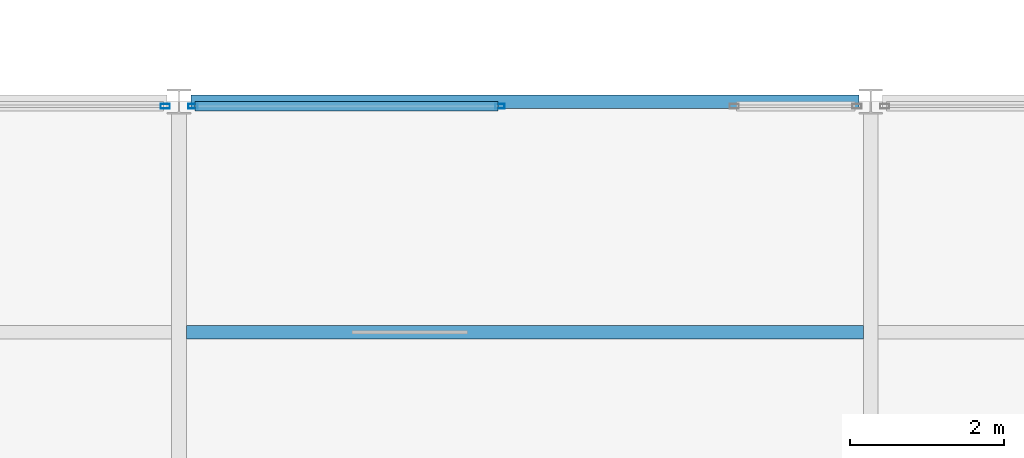
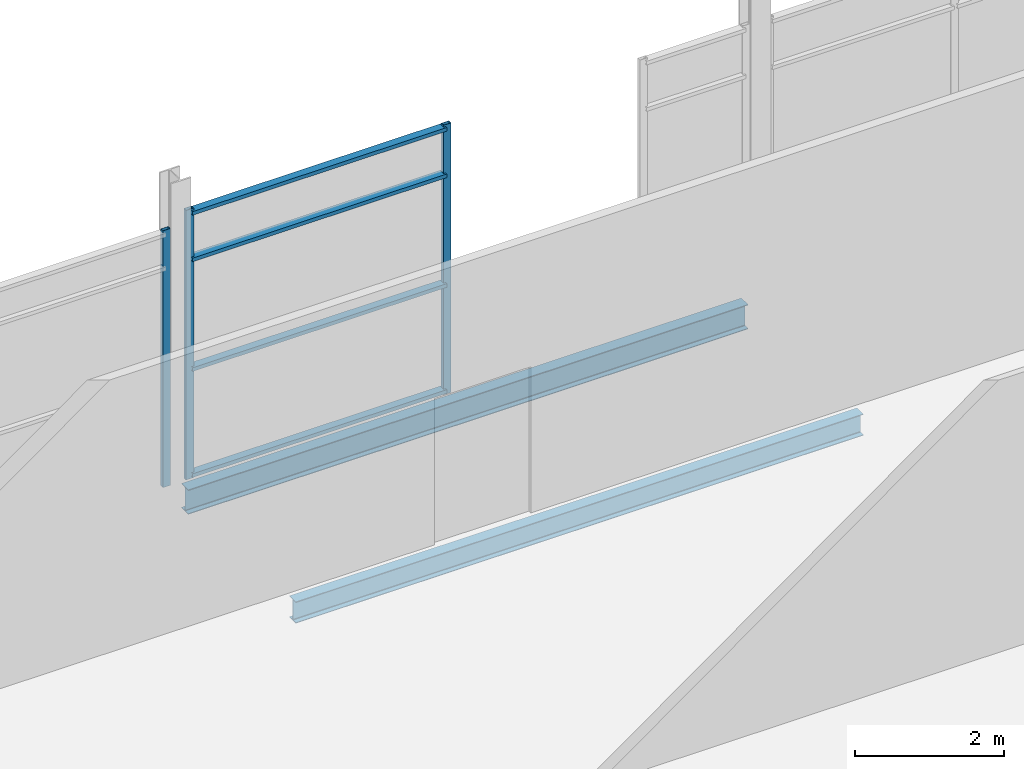
# One storey, part 31 of 115: 7 members, 2 beams, 2 elements without a shape of their own.
"""IFC4 building model written with IfcOpenShell, lengths in metres."""

from ifc_helpers import new_model, si_unit, direction, frame, origin, origin_2d, place, context, subcontext, project, spatial, hollow_rectangle, i_section, extrude, material, layer, layer_set, material_profile, profile_set, type_object, element, aggregate, save


model = new_model("IFC4")

# Units and contexts
model_context = context("Model", 3, precision=1e-05, world=origin(), true_north=direction((0.0, 1.0)))
body_context = subcontext(model_context, "Body", "Model", "MODEL_VIEW")
ifc_project = project(units=[si_unit("LENGTHUNIT", "METRE"), si_unit("AREAUNIT", "SQUARE_METRE"), si_unit("VOLUMEUNIT", "CUBIC_METRE"), si_unit("PLANEANGLEUNIT", "RADIAN"), si_unit("MASSUNIT", "GRAM", prefix="KILO")], contexts=[model_context])

# Site, building, storey
site_placement = place(None, origin())
site = spatial("IfcSite", under=ifc_project, at=site_placement, CompositionType="ELEMENT")
building_placement = place(site_placement, origin())
building = spatial("IfcBuilding", under=site, at=building_placement, Name="Shorebreak Coast Museum", CompositionType="ELEMENT")
storey_placement = place(building_placement, frame((0.0, 0.0, 11.0)))
storey = spatial("IfcBuildingStorey", under=building, at=storey_placement, Name="L02", CompositionType="ELEMENT", Elevation=11.0)

# Beams
ifc_material_1 = material(Name="Steel Grade 300", Category="steel")
ifc_material_profile_1 = material_profile(ifc_material_1, i_section(OverallWidth=0.177978515625, OverallDepth=0.402587890625, WebThickness=0.007568359375, FlangeThickness=0.010986328125, FilletRadius=0.011474609375, at=origin_2d()), Name="410UB53.7")
ifc_profile_set_1 = profile_set([ifc_material_profile_1], Name="Steel Grade 300")
beam_type_1 = type_object("IfcBeamType", Name="Floor girder east-west 410UB53.7", PredefinedType="BEAM", material=ifc_profile_set_1)
beam_1_placement = place(storey_placement, frame((90.155517578125, 63.0, -0.376220703125), z_axis=(1.0, 0.0, 0.0), x_axis=(0.0, 1.0, 0.0)))
element("IfcBeam", 1, at=beam_1_placement, inside=storey, type_object=beam_type_1, Name="Floor girder east-west L02 11H", PredefinedType="BEAM", context=body_context, shape_type="SweptSolid", body=[
    extrude(i_section(OverallWidth=0.177978515625, OverallDepth=0.402587890625, WebThickness=0.007568359375, FlangeThickness=0.010986328125, FilletRadius=0.011474609375, at=origin_2d()), origin(), (0.0, 0.0, 1.0), 8.68896484375),
])
ifc_material_2 = material(Name="Steel Grade 300", Category="steel")
ifc_material_profile_2 = material_profile(ifc_material_2, i_section(OverallWidth=0.1708984375, OverallDepth=0.35205078125, WebThickness=0.0068359375, FlangeThickness=0.009765625, FilletRadius=0.011474609375, at=origin_2d()), Name="360UB44.7")
ifc_profile_set_2 = profile_set([ifc_material_profile_2], Name="Steel Grade 300")
beam_type_2 = type_object("IfcBeamType", Name="Floor joist 360UB44.7", PredefinedType="JOIST", material=ifc_profile_set_2)
beam_2_placement = place(storey_placement, frame((90.095458984375, 60.0, -0.35107421875), z_axis=(1.0, 0.0, 0.0), x_axis=(0.0, 1.0, 0.0)))
element("IfcBeam", 2, at=beam_2_placement, inside=storey, type_object=beam_type_2, Name="Floor joist L02 bay 11G at 6000 mm", PredefinedType="JOIST", context=body_context, shape_type="SweptSolid", body=[
    extrude(i_section(OverallWidth=0.1708984375, OverallDepth=0.35205078125, WebThickness=0.0068359375, FlangeThickness=0.009765625, FilletRadius=0.011474609375, at=origin_2d()), origin(), (0.0, 0.0, 1.0), 8.80908203125),
])

# Curtain wall, member
ifc_material_3 = material(Name="Aluminium", Category="aluminium")
ifc_layer = layer(ifc_material_3, 0.1201171875)
ifc_layer_set = layer_set([ifc_layer], Name="Aluminium")
curtain_wall_type = type_object("IfcCurtainWallType", Name="Atrium fire screen", PredefinedType="NOTDEFINED", material=ifc_layer_set)
curtain_wall_1_placement = place(storey_placement, origin())
curtain_wall_1 = element("IfcCurtainWall", 3, at=curtain_wall_1_placement, inside=storey, type_object=curtain_wall_type, Name="Atrium screen L02 S 18", PredefinedType="NOTDEFINED")
ifc_material_4 = material(Name="Aluminium", Category="aluminium")
ifc_material_profile_3 = material_profile(ifc_material_4, hollow_rectangle(XDim=0.06005859375, YDim=0.1201171875, WallThickness=0.00341796875, at=origin_2d()), Name="AL 120x60 RHS")
ifc_profile_set_3 = profile_set([ifc_material_profile_3], Name="Aluminium")
member_type_1 = type_object("IfcMemberType", Name="Screen mullion 50 x 120", PredefinedType="MULLION", material=ifc_profile_set_3)
member_1_placement = place(storey_placement, frame((89.819580078125, 62.93994140625, 0.0), z_axis=(0.0, 0.0, 1.0), x_axis=(0.0, 1.0, 0.0)))
member_1 = element("IfcMember", 4, at=member_1_placement, type_object=member_type_1, Name="CW4 mullion 4", PredefinedType="MULLION", context=body_context, shape_type="SweptSolid", body=[
    extrude(hollow_rectangle(XDim=0.06005859375, YDim=0.1201171875, WallThickness=0.00341796875, at=origin_2d()), origin(), (0.0, 0.0, 1.0), 4.212890625),
])
aggregate(curtain_wall_1, [member_1])

# Curtain wall, members
curtain_wall_2_placement = place(storey_placement, origin())
curtain_wall_2 = element("IfcCurtainWall", 5, at=curtain_wall_2_placement, inside=storey, type_object=curtain_wall_type, Name="Atrium screen L02 S 19", PredefinedType="NOTDEFINED")
member_2_placement = place(storey_placement, frame((90.180419921875, 62.93994140625, 0.0), z_axis=(0.0, 0.0, 1.0), x_axis=(0.0, 1.0, 0.0)))
member_2 = element("IfcMember", 6, at=member_2_placement, type_object=member_type_1, Name="CW5 mullion 1", PredefinedType="MULLION", context=body_context, shape_type="SweptSolid", body=[
    extrude(hollow_rectangle(XDim=0.06005859375, YDim=0.1201171875, WallThickness=0.00341796875, at=origin_2d()), origin(), (0.0, 0.0, 1.0), 4.42236328125),
])
member_3_placement = place(storey_placement, frame((94.175048828125, 62.93994140625, 0.0), z_axis=(0.0, 0.0, 1.0), x_axis=(0.0, 1.0, 0.0)))
member_3 = element("IfcMember", 7, at=member_3_placement, type_object=member_type_1, Name="CW5 mullion 2", PredefinedType="MULLION", context=body_context, shape_type="SweptSolid", body=[
    extrude(hollow_rectangle(XDim=0.06005859375, YDim=0.1201171875, WallThickness=0.00341796875, at=origin_2d()), origin(), (0.0, 0.0, 1.0), 4.42236328125),
])
ifc_material_5 = material(Name="Aluminium", Category="aluminium")
ifc_material_profile_4 = material_profile(ifc_material_5, hollow_rectangle(XDim=0.1201171875, YDim=0.06005859375, WallThickness=0.00341796875, at=origin_2d()), Name="AL 60x120 RHS")
ifc_profile_set_4 = profile_set([ifc_material_profile_4], Name="Aluminium")
member_type_2 = type_object("IfcMemberType", Name="Screen transom 120 x 50", PredefinedType="USERDEFINED", material=ifc_profile_set_4)
member_4_placement = place(storey_placement, frame((90.20556640625, 62.93994140625, 0.06005859375), z_axis=(1.0, 0.0, 0.0), x_axis=(0.0, 1.0, 0.0)))
member_4 = element("IfcMember", 8, at=member_4_placement, type_object=member_type_2, Name="CW5 transom 1.1", ObjectType="TRANSOM", PredefinedType="USERDEFINED", context=body_context, shape_type="SweptSolid", body=[
    extrude(hollow_rectangle(XDim=0.1201171875, YDim=0.06005859375, WallThickness=0.00341796875, at=origin_2d()), origin(), (0.0, 0.0, 1.0), 3.9443359375),
])
member_5_placement = place(storey_placement, frame((90.20556640625, 62.93994140625, 1.800048828125), z_axis=(1.0, 0.0, 0.0), x_axis=(0.0, 1.0, 0.0)))
member_5 = element("IfcMember", 9, at=member_5_placement, type_object=member_type_2, Name="CW5 transom 1.2", ObjectType="TRANSOM", PredefinedType="USERDEFINED", context=body_context, shape_type="SweptSolid", body=[
    extrude(hollow_rectangle(XDim=0.1201171875, YDim=0.06005859375, WallThickness=0.00341796875, at=origin_2d()), origin(), (0.0, 0.0, 1.0), 3.9443359375),
])
member_6_placement = place(storey_placement, frame((90.20556640625, 62.93994140625, 3.60009765625), z_axis=(1.0, 0.0, 0.0), x_axis=(0.0, 1.0, 0.0)))
member_6 = element("IfcMember", 10, at=member_6_placement, type_object=member_type_2, Name="CW5 transom 1.3", ObjectType="TRANSOM", PredefinedType="USERDEFINED", context=body_context, shape_type="SweptSolid", body=[
    extrude(hollow_rectangle(XDim=0.1201171875, YDim=0.06005859375, WallThickness=0.00341796875, at=origin_2d()), origin(), (0.0, 0.0, 1.0), 3.9443359375),
])
member_7_placement = place(storey_placement, frame((90.20556640625, 62.93994140625, 4.3623046875), z_axis=(1.0, 0.0, 0.0), x_axis=(0.0, 1.0, 0.0)))
member_7 = element("IfcMember", 11, at=member_7_placement, type_object=member_type_2, Name="CW5 transom 1.4", ObjectType="TRANSOM", PredefinedType="USERDEFINED", context=body_context, shape_type="SweptSolid", body=[
    extrude(hollow_rectangle(XDim=0.1201171875, YDim=0.06005859375, WallThickness=0.00341796875, at=origin_2d()), origin(), (0.0, 0.0, 1.0), 3.9443359375),
])
aggregate(curtain_wall_2, [member_2, member_3, member_4, member_5, member_6, member_7])

save(model, "model.ifc")
